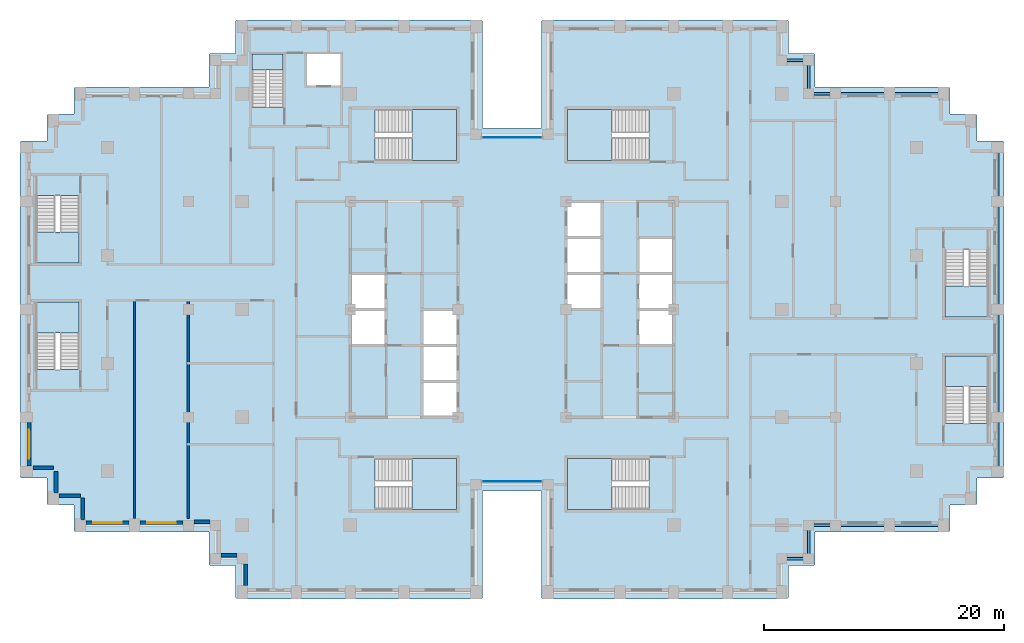
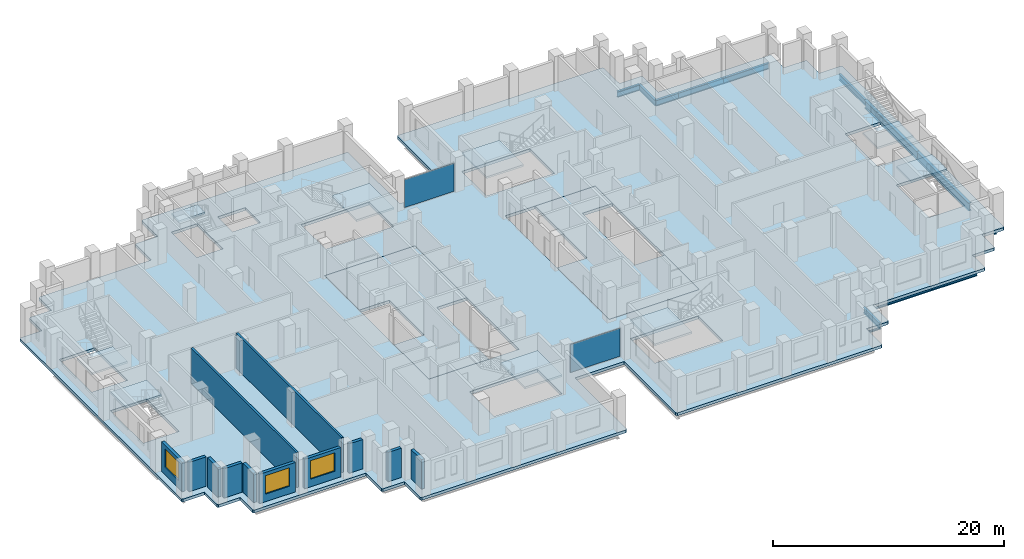
# One storey, part 5 of 16: 14 beams, 12 slabs, 12 walls, 3 windows, 2 plates, 3 openings, 11 elements without a shape of their own.
"""IFC4 building model written with IfcOpenShell, lengths in metres."""

import ifcopenshell
import ifcopenshell.guid

model = None  # the IFC model being written
_history = None  # IfcOwnerHistory: only IFC2X3 demands one
_inside = {}  # id of a spatial element -> (the spatial element, [elements in it])
_under = {}  # id of a project, library or spatial element -> (it, [spatial elements below it])
_declared = {}  # id of a project -> (the project, [libraries it declares])
_typed = {}  # id of a type object -> (the type object, [elements of that type])
_made_of = {}  # id of a material, layer set ... -> (it, [elements and type objects made of it])


def new_model(schema):
    """Start an empty IFC model of exactly this schema.

    Asked for "IFC4X3", IfcOpenShell would pick the latest addendum, in which some entities
    have other attributes; the version numbers below select the first issue.
    IFC2X3 requires an IfcOwnerHistory on every rooted entity: one is made here for all.
    """
    global model, _history
    if schema == "IFC4X3":
        model = ifcopenshell.file(schema_version=(4, 3, 0, 0))
    else:
        model = ifcopenshell.file(schema=schema)
    _inside.clear()
    _under.clear()
    _declared.clear()
    _typed.clear()
    _made_of.clear()
    _history = None
    if model.schema == "IFC2X3":
        org = make("IfcOrganization", Name="unknown")
        user = make(
            "IfcPersonAndOrganization",
            ThePerson=make("IfcPerson", FamilyName="unknown"),
            TheOrganization=org,
        )
        app = make(
            "IfcApplication",
            ApplicationDeveloper=org,
            Version="unknown",
            ApplicationFullName="unknown",
            ApplicationIdentifier="unknown",
        )
        _history = make(
            "IfcOwnerHistory",
            OwningUser=user,
            OwningApplication=app,
            ChangeAction="ADDED",
            CreationDate=0,
        )
    return model


def make(cls, **values):
    """One entity of the class cls with the attributes given. An attribute that is None is left unset."""
    return model.create_entity(
        cls, **{name: value for name, value in values.items() if value is not None}
    )


def rooted(cls, **values):
    """An entity with a GlobalId (a new one), such as an element, a storey or a relation."""
    return make(cls, GlobalId=ifcopenshell.guid.new(), OwnerHistory=_history, **values)


def si_unit(unit_type, name, prefix=None):
    """IfcSIUnit, for example si_unit("LENGTHUNIT", "METRE", prefix="MILLI")."""
    return make("IfcSIUnit", UnitType=unit_type, Prefix=prefix, Name=name)


def assignment(units):
    """IfcUnitAssignment: the units of a project."""
    return None if units is None else make("IfcUnitAssignment", Units=units)


def point(xyz):
    """IfcCartesianPoint."""
    return None if xyz is None else make("IfcCartesianPoint", Coordinates=xyz)


def direction(xyz):
    """IfcDirection."""
    return None if xyz is None else make("IfcDirection", DirectionRatios=xyz)


def frame(location, z_axis=None, x_axis=None):
    """IfcAxis2Placement3D, a coordinate frame: its origin and axes. An axis left out is left unset."""
    return make(
        "IfcAxis2Placement3D",
        Location=point(location),
        Axis=direction(z_axis),
        RefDirection=direction(x_axis),
    )


def frame_2d(location, x_axis=None):
    """IfcAxis2Placement2D, a coordinate frame in the plane: its origin and x axis."""
    return make(
        "IfcAxis2Placement2D", Location=point(location), RefDirection=direction(x_axis)
    )


def origin():
    """The frame at (0, 0, 0) with its axes left unset."""
    return frame((0.0, 0.0, 0.0))


def origin_2d():
    """The frame at (0, 0) in the plane with its x axis left unset."""
    return frame_2d((0.0, 0.0))


def place(relative_to, where):
    """IfcLocalPlacement: puts the frame where relative to a parent placement (None: the world)."""
    return make(
        "IfcLocalPlacement", PlacementRelTo=relative_to, RelativePlacement=where
    )


def context(
    kind, dimensions, precision=None, world=None, true_north=None, identifier=None
):
    """IfcGeometricRepresentationContext, for example the 3D "Model" context."""
    return make(
        "IfcGeometricRepresentationContext",
        ContextIdentifier=identifier,
        ContextType=kind,
        CoordinateSpaceDimension=dimensions,
        Precision=precision,
        WorldCoordinateSystem=world,
        TrueNorth=true_north,
    )


def subcontext(parent, identifier, kind, view, scale=None):
    """IfcGeometricRepresentationSubContext, for example "Body" below "Model"."""
    return make(
        "IfcGeometricRepresentationSubContext",
        ContextIdentifier=identifier,
        ContextType=kind,
        ParentContext=parent,
        TargetScale=scale,
        TargetView=view,
    )


def project(units=None, contexts=None):
    """IfcProject with its units and contexts."""
    return rooted(
        "IfcProject",
        Name="project",
        RepresentationContexts=contexts,
        UnitsInContext=assignment(units),
    )


def spatial(cls, under=None, at=None, **own):
    """A site, building, storey or space (cls), placed at a placement, below another one or the project."""
    s = rooted(cls, ObjectPlacement=at, **own)
    if under is not None:
        _under.setdefault(under.id(), (under, []))[1].append(s)
    return s


def polyline(points):
    """IfcPolyline through the points."""
    return make("IfcPolyline", Points=[point(p) for p in points])


def profile(cls, at=None, kind="AREA", **sizes):
    """A parametric profile (cls). Its sizes go by their IFC names, for example OverallWidth=200.0."""
    return make(cls, ProfileType=kind, Position=at, **sizes)


def rectangle(**sizes):
    """IfcRectangleProfileDef."""
    return profile("IfcRectangleProfileDef", **sizes)


def i_section(**sizes):
    """IfcIShapeProfileDef."""
    return profile("IfcIShapeProfileDef", **sizes)


def outline(outer, holes=None, kind="AREA"):
    """IfcArbitraryClosedProfileDef: a profile drawn as a closed curve; with holes, ...WithVoids."""
    if holes is None:
        return make("IfcArbitraryClosedProfileDef", ProfileType=kind, OuterCurve=outer)
    return make(
        "IfcArbitraryProfileDefWithVoids",
        ProfileType=kind,
        OuterCurve=outer,
        InnerCurves=holes,
    )


def extrude(swept, where, along, depth):
    """IfcExtrudedAreaSolid: the profile swept, set in the frame where, extruded along a direction by depth."""
    return make(
        "IfcExtrudedAreaSolid",
        SweptArea=swept,
        Position=where,
        ExtrudedDirection=direction(along),
        Depth=depth,
    )


def shape(context_of_items, identifier, shape_type, items):
    """IfcShapeRepresentation: the items that make up one representation, for example the "Body"."""
    return make(
        "IfcShapeRepresentation",
        ContextOfItems=context_of_items,
        RepresentationIdentifier=identifier,
        RepresentationType=shape_type,
        Items=items,
    )


def material(Name=None, Category=None):
    """IfcMaterial."""
    return make("IfcMaterial", Name=Name, Category=Category)


def layer(
    of_material, thickness, ventilated=None, Name=None, Category=None, Priority=None
):
    """IfcMaterialLayer: one layer of a wall or slab, of a material (None: an air gap)."""
    return make(
        "IfcMaterialLayer",
        Material=of_material,
        LayerThickness=thickness,
        IsVentilated=ventilated,
        Name=Name,
        Category=Category,
        Priority=Priority,
    )


def layer_set(layers, Name=None):
    """IfcMaterialLayerSet."""
    return make("IfcMaterialLayerSet", MaterialLayers=layers, LayerSetName=Name)


def material_profile(
    of_material, cross_section, Name=None, Category=None, Priority=None
):
    """IfcMaterialProfile: a cross section and its material."""
    return make(
        "IfcMaterialProfile",
        Name=Name,
        Material=of_material,
        Profile=cross_section,
        Priority=Priority,
        Category=Category,
    )


def profile_set(profiles, Name=None, composite=None):
    """IfcMaterialProfileSet."""
    return make(
        "IfcMaterialProfileSet",
        Name=Name,
        MaterialProfiles=profiles,
        CompositeProfile=composite,
    )


def made_of(thing, what):
    """Note that an element or type object is made of a material, layer set ...; save() writes the relation."""
    if what is not None:
        _made_of.setdefault(what.id(), (what, []))[1].append(thing)
    return thing


def type_object(cls, material=None, **own):
    """A type object (cls), such as IfcWallType, which elements share."""
    return made_of(rooted(cls, **own), material)


def element(
    cls,
    number,
    at=None,
    inside=None,
    cuts=None,
    type_object=None,
    material=None,
    context=None,
    identifier="Body",
    shape_type=None,
    held_by="IfcProductDefinitionShape",
    body=None,
    shapes=None,
    **own,
):
    """One element of the class cls, such as IfcWall. Its Tag is "e" and its number.

    at: its placement. inside: the storey or other place that contains it. cuts: it is an
    opening in that element (IfcRelVoidsElement). A single representation is given by context,
    identifier, shape_type and body (its items); several are given by shapes. held_by: the class
    of the entity that holds the representations. save() writes the other relations.
    """
    e = rooted(cls, Tag="e%d" % number, ObjectPlacement=at, **own)
    if body is not None:
        shapes = [shape(context, identifier, shape_type, body)]
    if shapes is not None:
        e.Representation = make(held_by, Representations=shapes)
    if inside is not None:
        _inside.setdefault(inside.id(), (inside, []))[1].append(e)
    if cuts is not None:
        rooted(
            "IfcRelVoidsElement", RelatingBuildingElement=cuts, RelatedOpeningElement=e
        )
    if type_object is not None:
        _typed.setdefault(type_object.id(), (type_object, []))[1].append(e)
    return made_of(e, material)


def fill(opening, filler):
    """IfcRelFillsElement: the door or window that sits in an opening."""
    return rooted(
        "IfcRelFillsElement",
        RelatingOpeningElement=opening,
        RelatedBuildingElement=filler,
    )


def aggregate(whole, parts):
    """IfcRelAggregates: a whole, such as a stair, and the parts it consists of."""
    return rooted("IfcRelAggregates", RelatingObject=whole, RelatedObjects=parts)


def save(model, path):
    """Write the relations noted so far, then the file.

    IfcRelAggregates (storeys below a building ...), IfcRelContainedInSpatialStructure (elements
    in a storey), IfcRelDefinesByType, IfcRelAssociatesMaterial and IfcRelDeclares: one each for
    every whole, place, type object, material and project.
    """
    for whole, parts in _under.values():
        aggregate(whole, parts)
    for where, things in _inside.values():
        rooted(
            "IfcRelContainedInSpatialStructure",
            RelatedElements=things,
            RelatingStructure=where,
        )
    for kind, things in _typed.values():
        rooted("IfcRelDefinesByType", RelatedObjects=things, RelatingType=kind)
    for what, things in _made_of.values():
        rooted("IfcRelAssociatesMaterial", RelatedObjects=things, RelatingMaterial=what)
    for by, libraries in _declared.values():
        rooted("IfcRelDeclares", RelatingContext=by, RelatedDefinitions=libraries)
    model.write(path)


model = new_model("IFC4")

# Units and contexts
model_context = context("Model", 3, precision=1e-05, world=origin(), true_north=direction((0.0, 1.0)))
body_context = subcontext(model_context, "Body", "Model", "MODEL_VIEW")
ifc_project = project(units=[si_unit("LENGTHUNIT", "METRE"), si_unit("AREAUNIT", "SQUARE_METRE"), si_unit("VOLUMEUNIT", "CUBIC_METRE"), si_unit("PLANEANGLEUNIT", "RADIAN"), si_unit("MASSUNIT", "GRAM", prefix="KILO")], contexts=[model_context])

# Site, building, storey
site_placement = place(None, origin())
site = spatial("IfcSite", under=ifc_project, at=site_placement, CompositionType="ELEMENT")
building_placement = place(site_placement, origin())
building = spatial("IfcBuilding", under=site, at=building_placement, Name="Corbelhall Arena Tower", CompositionType="ELEMENT")
storey_placement = place(building_placement, frame((0.0, 0.0, 150.0)))
storey = spatial("IfcBuildingStorey", under=building, at=storey_placement, Name="L29", CompositionType="ELEMENT", Elevation=150.0)

# Beams
ifc_material_1 = material(Name="Steel ASTM A992 Gr50", Category="steel")
ifc_material_profile_1 = material_profile(ifc_material_1, i_section(OverallWidth=0.22900390625, OverallDepth=0.612060546875, WebThickness=0.011962890625, FlangeThickness=0.01953125, at=origin_2d()))
ifc_profile_set_1 = profile_set([ifc_material_profile_1], Name="Steel ASTM A992 Gr50")
beam_type_1 = type_object("IfcBeamType", Name="ST-SPANDREL-W24x84", PredefinedType="SPANDREL", material=ifc_profile_set_1)
for number, where, z_axis, x_axis, name in (
    (1, (40.5, 13.5, -0.60595703125), (0.0, -1.0, 0.0), (1.0, 0.0, 0.0), "Beam SP 10"),
    (2, (40.5, -9.0, -0.60595703125), (0.0, -1.0, 0.0), (1.0, 0.0, 0.0), "Beam SP 11"),
    (3, (31.5, 18.0, -0.60595703125), (1.0, 0.0, 0.0), (0.0, 1.0, 0.0), "Beam SP 12"),
    (4, (31.5, -18.0, -0.60595703125), (-1.0, 0.0, 0.0), (0.0, -1.0, 0.0), "Beam SP 13"),
    (5, (36.0, -18.0, -0.60595703125), (-1.0, 0.0, 0.0), (0.0, -1.0, 0.0), "Beam SP 14"),
    (6, (27.0, 18.0, -0.60595703125), (1.0, 0.0, 0.0), (0.0, 1.0, 0.0), "Beam SP 15"),
):
    element("IfcBeam", number, at=place(storey_placement, frame(where, z_axis=z_axis, x_axis=x_axis)), inside=storey, type_object=beam_type_1, Name=name, PredefinedType="SPANDREL", context=body_context, shape_type="SweptSolid", body=[
        extrude(i_section(OverallWidth=0.22900390625, OverallDepth=0.612060546875, WebThickness=0.011962890625, FlangeThickness=0.01953125, at=origin_2d()), origin(), (0.0, 0.0, 1.0), 4.5),
    ])
for number, where, z_axis, x_axis, name in (
    (7, (27.0, -18.0, -0.60595703125), (-1.0, 0.0, 0.0), (0.0, -1.0, 0.0), "Beam SP 16"),
    (8, (22.5, 20.800048828125, -0.60595703125), (1.0, 0.0, 0.0), (0.0, 1.0, 0.0), "Beam SP 43"),
):
    element("IfcBeam", number, at=place(storey_placement, frame(where, z_axis=z_axis, x_axis=x_axis)), inside=storey, type_object=beam_type_1, Name=name, PredefinedType="SPANDREL", context=body_context, shape_type="SweptSolid", body=[
        extrude(i_section(OverallWidth=0.22900390625, OverallDepth=0.612060546875, WebThickness=0.011962890625, FlangeThickness=0.01953125, at=origin_2d()), origin(), (0.0, 0.0, 1.0), 2.25),
    ])
beam_1_placement = place(storey_placement, frame((24.75, 20.800048828125, -0.60595703125), z_axis=(0.0, -1.0, 0.0), x_axis=(1.0, 0.0, 0.0)))
element("IfcBeam", 9, at=beam_1_placement, inside=storey, type_object=beam_type_1, Name="Beam SP 44", PredefinedType="SPANDREL", context=body_context, shape_type="SweptSolid", body=[
    extrude(i_section(OverallWidth=0.22900390625, OverallDepth=0.612060546875, WebThickness=0.011962890625, FlangeThickness=0.01953125, at=origin_2d()), origin(), (0.0, 0.0, 1.0), 2.800048828125),
])
for number, where, z_axis, x_axis, name in (
    (10, (24.75, 18.0, -0.60595703125), (1.0, 0.0, 0.0), (0.0, 1.0, 0.0), "Beam SP 45"),
    (11, (24.75, -20.800048828125, -0.60595703125), (-1.0, 0.0, 0.0), (0.0, -1.0, 0.0), "Beam SP 50"),
):
    element("IfcBeam", number, at=place(storey_placement, frame(where, z_axis=z_axis, x_axis=x_axis)), inside=storey, type_object=beam_type_1, Name=name, PredefinedType="SPANDREL", context=body_context, shape_type="SweptSolid", body=[
        extrude(i_section(OverallWidth=0.22900390625, OverallDepth=0.612060546875, WebThickness=0.011962890625, FlangeThickness=0.01953125, at=origin_2d()), origin(), (0.0, 0.0, 1.0), 2.25),
    ])
beam_2_placement = place(storey_placement, frame((24.75, -18.0, -0.60595703125), z_axis=(0.0, -1.0, 0.0), x_axis=(1.0, 0.0, 0.0)))
element("IfcBeam", 12, at=beam_2_placement, inside=storey, type_object=beam_type_1, Name="Beam SP 51", PredefinedType="SPANDREL", context=body_context, shape_type="SweptSolid", body=[
    extrude(i_section(OverallWidth=0.22900390625, OverallDepth=0.612060546875, WebThickness=0.011962890625, FlangeThickness=0.01953125, at=origin_2d()), origin(), (0.0, 0.0, 1.0), 2.800048828125),
])
ifc_material_profile_2 = material_profile(ifc_material_1, i_section(OverallWidth=0.2919921875, OverallDepth=0.845703125, WebThickness=0.015380859375, FlangeThickness=0.0244140625, at=origin_2d()))
ifc_profile_set_2 = profile_set([ifc_material_profile_2], Name="Steel ASTM A992 Gr50")
beam_type_2 = type_object("IfcBeamType", Name="ST-SPANDREL-W33x141", PredefinedType="SPANDREL", material=ifc_profile_set_2)
for number, where, z_axis, x_axis, name in (
    (13, (40.5, 0.0, -0.722900390625), (0.0, -1.0, 0.0), (1.0, 0.0, 0.0), "Beam SP 8"),
    (14, (40.5, 9.0, -0.722900390625), (0.0, -1.0, 0.0), (1.0, 0.0, 0.0), "Beam SP 9"),
):
    element("IfcBeam", number, at=place(storey_placement, frame(where, z_axis=z_axis, x_axis=x_axis)), inside=storey, type_object=beam_type_2, Name=name, PredefinedType="SPANDREL", context=body_context, shape_type="SweptSolid", body=[
        extrude(i_section(OverallWidth=0.2919921875, OverallDepth=0.845703125, WebThickness=0.015380859375, FlangeThickness=0.0244140625, at=origin_2d()), origin(), (0.0, 0.0, 1.0), 9.0),
    ])

# Curtain wall, plate
ifc_material_2 = material(Name="Aluminium black anodised", Category="aluminium")
ifc_layer_1 = layer(ifc_material_2, 0.199951171875)
ifc_layer_set_1 = layer_set([ifc_layer_1], Name="EV-CW1 Slot back wall")
curtain_wall_type = type_object("IfcCurtainWallType", Name="EV-CW1 Slot back wall", PredefinedType="NOTDEFINED", material=ifc_layer_set_1)
curtain_wall_1_placement = place(storey_placement, origin())
curtain_wall_1 = element("IfcCurtainWall", 15, at=curtain_wall_1_placement, inside=storey, type_object=curtain_wall_type, Name="Curtain wall CW1", PredefinedType="NOTDEFINED")
ifc_material_3 = material(Name="Glass dark tinted laminated", Category="glass")
ifc_layer_2 = layer(ifc_material_3, 0.028076171875)
ifc_layer_set_2 = layer_set([ifc_layer_2], Name="EV-CW1-PANEL")
plate_type = type_object("IfcPlateType", Name="EV-CW1-PANEL", PredefinedType="CURTAIN_PANEL", material=ifc_layer_set_2)
plate_1_placement = place(storey_placement, frame((0.0, -14.35009765625, 0.0751953125), z_axis=(0.0, 0.0, 1.0), x_axis=(1.0, 0.0, 0.0)))
plate_1 = element("IfcPlate", 16, at=plate_1_placement, type_object=plate_type, Name="CW1 panel 1.1", PredefinedType="CURTAIN_PANEL", context=body_context, shape_type="SweptSolid", body=[
    extrude(rectangle(XDim=4.949951171875, YDim=0.028076171875, at=origin_2d()), origin(), (0.0, 0.0, 1.0), 2.949951171875),
])
aggregate(curtain_wall_1, [plate_1])

curtain_wall_2_placement = place(storey_placement, origin())
curtain_wall_2 = element("IfcCurtainWall", 17, at=curtain_wall_2_placement, inside=storey, type_object=curtain_wall_type, Name="Curtain wall CW1", PredefinedType="NOTDEFINED")
plate_2_placement = place(storey_placement, frame((0.0, 14.35009765625, 0.0751953125), z_axis=(0.0, 0.0, 1.0), x_axis=(-1.0, 0.0, 0.0)))
plate_2 = element("IfcPlate", 18, at=plate_2_placement, type_object=plate_type, Name="CW1 panel 1.1", PredefinedType="CURTAIN_PANEL", context=body_context, shape_type="SweptSolid", body=[
    extrude(rectangle(XDim=4.949951171875, YDim=0.028076171875, at=origin_2d()), origin(), (0.0, 0.0, 1.0), 2.949951171875),
])
aggregate(curtain_wall_2, [plate_2])

# Slabs
ifc_material_4 = material(Name="Concrete C40/50", Category="concrete")
ifc_layer_3 = layer(ifc_material_4, 0.300048828125)
ifc_layer_set_3 = layer_set([ifc_layer_3], Name="IN-SL-CORE")
slab_type_1 = type_object("IfcSlabType", Name="IN-SL-CORE", PredefinedType="FLOOR", material=ifc_layer_set_3)
slab_1_placement = place(storey_placement, frame((0.0, 0.0, -0.300048828125)))
element("IfcSlab", 19, at=slab_1_placement, inside=storey, type_object=slab_type_1, Name="Core floor W", PredefinedType="FLOOR", context=body_context, shape_type="SweptSolid", body=[
    extrude(outline(polyline([(-7.5, 0.0), (-4.5, 0.0), (-4.5, 9.0), (-13.5, 9.0), (-13.5, 3.0), (-10.5, 3.0), (-10.5, 0.0), (-10.5, -3.0), (-13.5, -3.0), (-13.5, -9.0), (-7.5, -9.0), (-7.5, -6.0), (-7.5, -3.0), (-7.5, 0.0)])), origin(), (0.0, 0.0, 1.0), 0.300048828125),
])
slab_2_placement = place(storey_placement, frame((0.0, 0.0, -0.300048828125)))
element("IfcSlab", 20, at=slab_2_placement, inside=storey, type_object=slab_type_1, Name="Core floor E", PredefinedType="FLOOR", context=body_context, shape_type="SweptSolid", body=[
    extrude(outline(polyline([(7.5, 0.0), (4.5, 0.0), (4.5, -9.0), (13.5, -9.0), (13.5, -3.0), (10.5, -3.0), (10.5, 0.0), (10.5, 3.0), (10.5, 6.0), (13.5, 6.0), (13.5, 9.0), (7.5, 9.0), (7.5, 6.0), (7.5, 3.0), (7.5, 0.0)])), origin(), (0.0, 0.0, 1.0), 0.300048828125),
])

# Stair, slab
stair_type = type_object("IfcStairType", Name="IN-ST-TOWER", PredefinedType="HALF_TURN_STAIR", material=ifc_material_4)
stair_1_placement = place(storey_placement, origin())
stair_1 = element("IfcStair", 21, at=stair_1_placement, inside=storey, type_object=stair_type, Name="L29 Exit stair ST1", PredefinedType="HALF_TURN_STAIR")
ifc_layer_4 = layer(ifc_material_4, 0.199951171875)
ifc_layer_set_4 = layer_set([ifc_layer_4], Name="IN-SL-LANDING")
slab_type_2 = type_object("IfcSlabType", Name="IN-SL-LANDING", PredefinedType="LANDING", material=ifc_layer_set_4)
slab_3_placement = place(storey_placement, frame((0.0, 0.0, 1.800048828125)))
slab_3 = element("IfcSlab", 22, at=slab_3_placement, type_object=slab_type_2, Name="ST1 landing 1", PredefinedType="LANDING", context=body_context, shape_type="SweptSolid", body=[
    extrude(outline(polyline([(-8.344970703125, 12.425048828125), (-4.625, 12.425048828125), (-4.625, 16.675048828125), (-8.344970703125, 16.675048828125), (-8.344970703125, 12.425048828125)])), origin(), (0.0, 0.0, 1.0), 0.199951171875),
])
aggregate(stair_1, [slab_3])

stair_2_placement = place(storey_placement, origin())
stair_2 = element("IfcStair", 23, at=stair_2_placement, inside=storey, type_object=stair_type, Name="L29 Exit stair ST2", PredefinedType="HALF_TURN_STAIR")
slab_4_placement = place(storey_placement, frame((0.0, 0.0, 1.800048828125)))
slab_4 = element("IfcSlab", 24, at=slab_4_placement, type_object=slab_type_2, Name="ST2 landing 1", PredefinedType="LANDING", context=body_context, shape_type="SweptSolid", body=[
    extrude(outline(polyline([(-8.344970703125, -16.675048828125), (-4.625, -16.675048828125), (-4.625, -12.425048828125), (-8.344970703125, -12.425048828125), (-8.344970703125, -16.675048828125)])), origin(), (0.0, 0.0, 1.0), 0.199951171875),
])
aggregate(stair_2, [slab_4])

stair_3_placement = place(storey_placement, origin())
stair_3 = element("IfcStair", 25, at=stair_3_placement, inside=storey, type_object=stair_type, Name="L29 Exit stair ST3", PredefinedType="HALF_TURN_STAIR")
slab_5_placement = place(storey_placement, frame((0.0, 0.0, 1.800048828125)))
slab_5 = element("IfcSlab", 26, at=slab_5_placement, type_object=slab_type_2, Name="ST3 landing 1", PredefinedType="LANDING", context=body_context, shape_type="SweptSolid", body=[
    extrude(outline(polyline([(8.344970703125, 16.675048828125), (4.625, 16.675048828125), (4.625, 12.425048828125), (8.344970703125, 12.425048828125), (8.344970703125, 16.675048828125)])), origin(), (0.0, 0.0, 1.0), 0.199951171875),
])
aggregate(stair_3, [slab_5])

stair_4_placement = place(storey_placement, origin())
stair_4 = element("IfcStair", 27, at=stair_4_placement, inside=storey, type_object=stair_type, Name="L29 Exit stair ST4", PredefinedType="HALF_TURN_STAIR")
slab_6_placement = place(storey_placement, frame((0.0, 0.0, 1.800048828125)))
slab_6 = element("IfcSlab", 28, at=slab_6_placement, type_object=slab_type_2, Name="ST4 landing 1", PredefinedType="LANDING", context=body_context, shape_type="SweptSolid", body=[
    extrude(outline(polyline([(8.344970703125, -12.425048828125), (4.625, -12.425048828125), (4.625, -16.675048828125), (8.344970703125, -16.675048828125), (8.344970703125, -12.425048828125)])), origin(), (0.0, 0.0, 1.0), 0.199951171875),
])
aggregate(stair_4, [slab_6])

stair_5_placement = place(storey_placement, origin())
stair_5 = element("IfcStair", 29, at=stair_5_placement, inside=storey, type_object=stair_type, Name="L29 Exit stair SC1", PredefinedType="HALF_TURN_STAIR")
slab_7_placement = place(storey_placement, frame((0.0, 0.0, 1.800048828125)))
slab_7 = element("IfcSlab", 30, at=slab_7_placement, type_object=slab_type_2, Name="SC1 landing 1", PredefinedType="LANDING", context=body_context, shape_type="SweptSolid", body=[
    extrude(outline(polyline([(-39.699951171875, 6.445068359375), (-39.699951171875, 3.875), (-36.125, 3.875), (-36.125, 6.445068359375), (-39.699951171875, 6.445068359375)])), origin(), (0.0, 0.0, 1.0), 0.199951171875),
])
aggregate(stair_5, [slab_7])

stair_6_placement = place(storey_placement, origin())
stair_6 = element("IfcStair", 31, at=stair_6_placement, inside=storey, type_object=stair_type, Name="L29 Exit stair SC2", PredefinedType="HALF_TURN_STAIR")
slab_8_placement = place(storey_placement, frame((0.0, 0.0, 1.800048828125)))
slab_8 = element("IfcSlab", 32, at=slab_8_placement, type_object=slab_type_2, Name="SC2 landing 1", PredefinedType="LANDING", context=body_context, shape_type="SweptSolid", body=[
    extrude(outline(polyline([(-36.125, -1.945068359375), (-36.125, 0.625), (-39.699951171875, 0.625), (-39.699951171875, -1.945068359375), (-36.125, -1.945068359375)])), origin(), (0.0, 0.0, 1.0), 0.199951171875),
])
aggregate(stair_6, [slab_8])

stair_7_placement = place(storey_placement, origin())
stair_7 = element("IfcStair", 33, at=stair_7_placement, inside=storey, type_object=stair_type, Name="L29 Exit stair SD1", PredefinedType="HALF_TURN_STAIR")
slab_9_placement = place(storey_placement, frame((0.0, 0.0, 1.800048828125)))
slab_9 = element("IfcSlab", 34, at=slab_9_placement, type_object=slab_type_2, Name="SD1 landing 1", PredefinedType="LANDING", context=body_context, shape_type="SweptSolid", body=[
    extrude(outline(polyline([(39.699951171875, -6.445068359375), (39.699951171875, -3.875), (36.125, -3.875), (36.125, -6.445068359375), (39.699951171875, -6.445068359375)])), origin(), (0.0, 0.0, 1.0), 0.199951171875),
])
aggregate(stair_7, [slab_9])

stair_8_placement = place(storey_placement, origin())
stair_8 = element("IfcStair", 35, at=stair_8_placement, inside=storey, type_object=stair_type, Name="L29 Exit stair SD2", PredefinedType="HALF_TURN_STAIR")
slab_10_placement = place(storey_placement, frame((0.0, 0.0, 1.800048828125)))
slab_10 = element("IfcSlab", 36, at=slab_10_placement, type_object=slab_type_2, Name="SD2 landing 1", PredefinedType="LANDING", context=body_context, shape_type="SweptSolid", body=[
    extrude(outline(polyline([(36.125, 1.945068359375), (36.125, -0.625), (39.699951171875, -0.625), (39.699951171875, 1.945068359375), (36.125, 1.945068359375)])), origin(), (0.0, 0.0, 1.0), 0.199951171875),
])
aggregate(stair_8, [slab_10])

stair_9_placement = place(storey_placement, origin())
stair_9 = element("IfcStair", 37, at=stair_9_placement, inside=storey, type_object=stair_type, Name="L29 Exit stair ST5", PredefinedType="HALF_TURN_STAIR")
slab_11_placement = place(storey_placement, frame((0.0, 0.0, 1.800048828125)))
slab_11 = element("IfcSlab", 38, at=slab_11_placement, type_object=slab_type_2, Name="ST5 landing 1", PredefinedType="LANDING", context=body_context, shape_type="SweptSolid", body=[
    extrude(outline(polyline([(-19.094970703125, 19.97998046875), (-19.094970703125, 21.300048828125), (-21.695068359375, 21.300048828125), (-21.695068359375, 19.97998046875), (-19.094970703125, 19.97998046875)])), origin(), (0.0, 0.0, 1.0), 0.199951171875),
])
aggregate(stair_9, [slab_11])

# Slab
ifc_layer_5 = layer(ifc_material_4, 0.300048828125)
ifc_layer_set_5 = layer_set([ifc_layer_5], Name="ST-SLAB-FLOOR-300")
slab_type_3 = type_object("IfcSlabType", Name="ST-SLAB-FLOOR-300", PredefinedType="FLOOR", material=ifc_layer_set_5)
slab_12_placement = place(storey_placement, frame((0.0, 0.0, -0.300048828125)))
element("IfcSlab", 39, at=slab_12_placement, inside=storey, type_object=slab_type_3, Name="Floor slab L29 1", PredefinedType="FLOOR", context=body_context, shape_type="SweptSolid", body=[
    extrude(outline(polyline([(25.300048828125, 18.550048828125), (25.300048828125, 21.25), (25.199951171875, 21.35009765625), (23.050048828125, 21.35009765625), (23.050048828125, 24.050048828125), (22.949951171875, 24.14990234375), (2.550048828125, 24.14990234375), (2.449951171875, 24.050048828125), (2.449951171875, 15.14990234375), (-2.449951171875, 15.14990234375), (-2.449951171875, 24.050048828125), (-2.550048828125, 24.14990234375), (-22.949951171875, 24.14990234375), (-23.050048828125, 24.050048828125), (-23.050048828125, 21.35009765625), (-25.199951171875, 21.35009765625), (-25.300048828125, 21.25), (-25.300048828125, 18.550048828125), (-36.449951171875, 18.550048828125), (-36.550048828125, 18.449951171875), (-36.550048828125, 16.300048828125), (-38.699951171875, 16.300048828125), (-38.800048828125, 16.199951171875), (-38.800048828125, 14.050048828125), (-40.949951171875, 14.050048828125), (-41.050048828125, 13.949951171875), (-41.050048828125, -13.949951171875), (-40.949951171875, -14.050048828125), (-38.800048828125, -14.050048828125), (-38.800048828125, -16.199951171875), (-38.699951171875, -16.300048828125), (-36.550048828125, -16.300048828125), (-36.550048828125, -18.449951171875), (-36.449951171875, -18.550048828125), (-25.300048828125, -18.550048828125), (-25.300048828125, -21.25), (-25.199951171875, -21.35009765625), (-23.050048828125, -21.35009765625), (-23.050048828125, -24.050048828125), (-22.949951171875, -24.14990234375), (-2.550048828125, -24.14990234375), (-2.449951171875, -24.050048828125), (-2.449951171875, -15.14990234375), (2.449951171875, -15.14990234375), (2.449951171875, -24.050048828125), (2.550048828125, -24.14990234375), (22.949951171875, -24.14990234375), (23.050048828125, -24.050048828125), (23.050048828125, -21.35009765625), (25.199951171875, -21.35009765625), (25.300048828125, -21.25), (25.300048828125, -18.550048828125), (36.449951171875, -18.550048828125), (36.550048828125, -18.449951171875), (36.550048828125, -16.300048828125), (38.699951171875, -16.300048828125), (38.800048828125, -16.199951171875), (38.800048828125, -14.050048828125), (40.949951171875, -14.050048828125), (41.050048828125, -13.949951171875), (41.050048828125, 13.949951171875), (40.949951171875, 14.050048828125), (38.800048828125, 14.050048828125), (38.800048828125, 16.199951171875), (38.699951171875, 16.300048828125), (36.550048828125, 16.300048828125), (36.550048828125, 18.449951171875), (36.449951171875, 18.550048828125), (25.300048828125, 18.550048828125)]), holes=[polyline([(-13.5, 9.0), (-13.5, -9.0), (-4.5, -9.0), (-4.5, 9.0), (-13.5, 9.0)]), polyline([(4.5, 9.0), (4.5, -9.0), (13.5, -9.0), (13.5, 9.0), (4.5, 9.0)]), polyline([(-4.625, 16.675048828125), (-11.422119140625, 16.675048828125), (-11.422119140625, 12.425048828125), (-4.625, 12.425048828125), (-4.625, 16.675048828125)]), polyline([(-4.625, -16.675048828125), (-4.625, -12.425048828125), (-11.422119140625, -12.425048828125), (-11.422119140625, -16.675048828125), (-4.625, -16.675048828125)]), polyline([(11.422119140625, 16.675048828125), (4.625, 16.675048828125), (4.625, 12.425048828125), (11.422119140625, 12.425048828125), (11.422119140625, 16.675048828125)]), polyline([(11.422119140625, -16.675048828125), (11.422119140625, -12.425048828125), (4.625, -12.425048828125), (4.625, -16.675048828125), (11.422119140625, -16.675048828125)]), polyline([(-36.125, 3.875), (-36.125, 9.52197265625), (-39.699951171875, 9.52197265625), (-39.699951171875, 3.875), (-36.125, 3.875)]), polyline([(-36.125, 0.625), (-39.699951171875, 0.625), (-39.699951171875, -5.02197265625), (-36.125, -5.02197265625), (-36.125, 0.625)]), polyline([(39.699951171875, -9.52197265625), (39.699951171875, -3.875), (36.125, -3.875), (36.125, -9.52197265625), (39.699951171875, -9.52197265625)]), polyline([(39.699951171875, 5.02197265625), (36.125, 5.02197265625), (36.125, -0.625), (39.699951171875, -0.625), (39.699951171875, 5.02197265625)]), polyline([(-21.695068359375, 21.300048828125), (-21.695068359375, 16.903076171875), (-19.094970703125, 16.903076171875), (-19.094970703125, 21.300048828125), (-21.695068359375, 21.300048828125)]), polyline([(-14.300048828125, 21.300048828125), (-17.10009765625, 21.300048828125), (-17.10009765625, 18.699951171875), (-14.300048828125, 18.699951171875), (-14.300048828125, 21.300048828125)])]), origin(), (0.0, 0.0, 1.0), 0.300048828125),
])

# Walls
ifc_material_5 = material(Name="Precast concrete C40/50 with granite facing", Category="masonry")
ifc_layer_6 = layer(ifc_material_5, 0.300048828125)
ifc_layer_set_6 = layer_set([ifc_layer_6], Name="EV-IW1 Infill panel 300")
wall_type_1 = type_object("IfcWallType", Name="EV-IW1 Infill panel 300", PredefinedType="SOLIDWALL", material=ifc_layer_set_6)
wall_1_placement = place(storey_placement, frame((-39.949951171875, -13.199951171875, 0.0), z_axis=(0.0, 0.0, 1.0), x_axis=(1.0, 0.0, 0.0)))
element("IfcWall", 40, at=wall_1_placement, inside=storey, type_object=wall_type_1, Name="Infill panel IW1", PredefinedType="SOLIDWALL", context=body_context, shape_type="SweptSolid", body=[
    extrude(rectangle(XDim=1.699951171875, YDim=0.300048828125, at=frame_2d((0.85009765625, 0.0))), origin(), (0.0, 0.0, 1.0), 3.10009765625),
])
for number, where, z_axis, x_axis, name in (
    (41, (-38.050048828125, -15.300048828125, 0.0), (0.0, 0.0, 1.0), (0.0, 1.0, 0.0), "Infill panel IW1"),
    (42, (-37.800048828125, -15.550048828125, 0.0), (0.0, 0.0, 1.0), (1.0, 0.0, 0.0), "Infill panel IW1"),
    (43, (-35.800048828125, -17.550048828125, 0.0), (0.0, 0.0, 1.0), (0.0, 1.0, 0.0), "Infill panel IW1"),
):
    element("IfcWall", number, at=place(storey_placement, frame(where, z_axis=z_axis, x_axis=x_axis)), inside=storey, type_object=wall_type_1, Name=name, PredefinedType="SOLIDWALL", context=body_context, shape_type="SweptSolid", body=[
        extrude(rectangle(XDim=1.800048828125, YDim=0.300048828125, at=frame_2d((0.89990234375, 0.0))), origin(), (0.0, 0.0, 1.0), 3.10009765625),
    ])

# Wall, opening, window
wall_2_placement = place(storey_placement, frame((-40.300048828125, -9.449951171875, 0.0), z_axis=(0.0, 0.0, 1.0), x_axis=(0.0, -1.0, 0.0)))
wall_2 = element("IfcWall", 44, at=wall_2_placement, inside=storey, type_object=wall_type_1, Name="Infill panel IW1", PredefinedType="SOLIDWALL", context=body_context, shape_type="SweptSolid", body=[
    extrude(rectangle(XDim=3.60009765625, YDim=0.300048828125, at=frame_2d((1.800048828125, 0.0))), origin(), (0.0, 0.0, 1.0), 3.10009765625),
])
opening_1_placement = place(wall_2_placement, frame((0.60009765625, 0.0, 0.800048828125)))
opening_1 = element("IfcOpeningElement", 45, at=opening_1_placement, cuts=wall_2, Name="Opening WN1", PredefinedType="OPENING", context=body_context, shape_type="SweptSolid", body=[
    extrude(rectangle(XDim=2.39990234375, YDim=1.949951171875, at=frame_2d((1.199951171875, 0.97509765625))), frame((0.0, 0.14990234375, 0.0), z_axis=(0.0, -1.0, 0.0), x_axis=(1.0, 0.0, 0.0)), (0.0, 0.0, 1.0), 0.300048828125),
])
window_type = type_object("IfcWindowType", Name="EV-WN1 Office window", PartitioningType="SINGLE_PANEL", PredefinedType="WINDOW", material=ifc_material_2)
window_1_placement = place(opening_1_placement, origin())
window_1 = element("IfcWindow", 46, at=window_1_placement, inside=storey, type_object=window_type, Name="Window WN1", OverallHeight=1.949951171875, OverallWidth=2.39990234375, PartitioningType="SINGLE_PANEL", PredefinedType="WINDOW", context=body_context, shape_type="SweptSolid", body=[
    extrude(rectangle(XDim=2.39990234375, YDim=1.949951171875, at=frame_2d((1.199951171875, 0.97509765625))), frame((0.0, 0.030029296875, 0.0), z_axis=(0.0, -1.0, 0.0), x_axis=(1.0, 0.0, 0.0)), (0.0, 0.0, 1.0), 0.06005859375),
])
fill(opening_1, window_1)

wall_3_placement = place(storey_placement, frame((-35.550048828125, -17.800048828125, 0.0), z_axis=(0.0, 0.0, 1.0), x_axis=(1.0, 0.0, 0.0)))
wall_3 = element("IfcWall", 47, at=wall_3_placement, inside=storey, type_object=wall_type_1, Name="Infill panel IW1", PredefinedType="SOLIDWALL", context=body_context, shape_type="SweptSolid", body=[
    extrude(rectangle(XDim=3.60009765625, YDim=0.300048828125, at=frame_2d((1.800048828125, 0.0))), origin(), (0.0, 0.0, 1.0), 3.10009765625),
])
opening_2_placement = place(wall_3_placement, frame((0.60009765625, 0.0, 0.800048828125)))
opening_2 = element("IfcOpeningElement", 48, at=opening_2_placement, cuts=wall_3, Name="Opening WN1", PredefinedType="OPENING", context=body_context, shape_type="SweptSolid", body=[
    extrude(rectangle(XDim=2.39990234375, YDim=1.949951171875, at=frame_2d((1.199951171875, 0.97509765625))), frame((0.0, 0.14990234375, 0.0), z_axis=(0.0, -1.0, 0.0), x_axis=(1.0, 0.0, 0.0)), (0.0, 0.0, 1.0), 0.300048828125),
])
window_2_placement = place(opening_2_placement, origin())
window_2 = element("IfcWindow", 49, at=window_2_placement, inside=storey, type_object=window_type, Name="Window WN1", OverallHeight=1.949951171875, OverallWidth=2.39990234375, PartitioningType="SINGLE_PANEL", PredefinedType="WINDOW", context=body_context, shape_type="SweptSolid", body=[
    extrude(rectangle(XDim=2.39990234375, YDim=1.949951171875, at=frame_2d((1.199951171875, 0.97509765625))), frame((0.0, 0.030029296875, 0.0), z_axis=(0.0, -1.0, 0.0), x_axis=(1.0, 0.0, 0.0)), (0.0, 0.0, 1.0), 0.06005859375),
])
fill(opening_2, window_2)

wall_4_placement = place(storey_placement, frame((-31.050048828125, -17.800048828125, 0.0), z_axis=(0.0, 0.0, 1.0), x_axis=(1.0, 0.0, 0.0)))
wall_4 = element("IfcWall", 50, at=wall_4_placement, inside=storey, type_object=wall_type_1, Name="Infill panel IW1", PredefinedType="SOLIDWALL", context=body_context, shape_type="SweptSolid", body=[
    extrude(rectangle(XDim=3.60009765625, YDim=0.300048828125, at=frame_2d((1.800048828125, 0.0))), origin(), (0.0, 0.0, 1.0), 3.10009765625),
])
opening_3_placement = place(wall_4_placement, frame((0.60009765625, 0.0, 0.800048828125)))
opening_3 = element("IfcOpeningElement", 51, at=opening_3_placement, cuts=wall_4, Name="Opening WN1", PredefinedType="OPENING", context=body_context, shape_type="SweptSolid", body=[
    extrude(rectangle(XDim=2.39990234375, YDim=1.949951171875, at=frame_2d((1.199951171875, 0.97509765625))), frame((0.0, 0.14990234375, 0.0), z_axis=(0.0, -1.0, 0.0), x_axis=(1.0, 0.0, 0.0)), (0.0, 0.0, 1.0), 0.300048828125),
])
window_3_placement = place(opening_3_placement, origin())
window_3 = element("IfcWindow", 52, at=window_3_placement, inside=storey, type_object=window_type, Name="Window WN1", OverallHeight=1.949951171875, OverallWidth=2.39990234375, PartitioningType="SINGLE_PANEL", PredefinedType="WINDOW", context=body_context, shape_type="SweptSolid", body=[
    extrude(rectangle(XDim=2.39990234375, YDim=1.949951171875, at=frame_2d((1.199951171875, 0.97509765625))), frame((0.0, 0.030029296875, 0.0), z_axis=(0.0, -1.0, 0.0), x_axis=(1.0, 0.0, 0.0)), (0.0, 0.0, 1.0), 0.06005859375),
])
fill(opening_3, window_3)

# Walls
for number, where, z_axis, x_axis, name in (
    (53, (-26.550048828125, -17.699951171875, 0.0), (0.0, 0.0, 1.0), (1.0, 0.0, 0.0), "Infill panel IW1"),
    (54, (-24.300048828125, -20.5, 0.0), (0.0, 0.0, 1.0), (1.0, 0.0, 0.0), "Infill panel IW1"),
):
    element("IfcWall", number, at=place(storey_placement, frame(where, z_axis=z_axis, x_axis=x_axis)), inside=storey, type_object=wall_type_1, Name=name, PredefinedType="SOLIDWALL", context=body_context, shape_type="SweptSolid", body=[
        extrude(rectangle(XDim=1.35009765625, YDim=0.300048828125, at=frame_2d((0.675048828125, 0.0))), origin(), (0.0, 0.0, 1.0), 3.10009765625),
    ])
wall_5_placement = place(storey_placement, frame((-22.199951171875, -21.25, 0.0), z_axis=(0.0, 0.0, 1.0), x_axis=(0.0, -1.0, 0.0)))
element("IfcWall", 55, at=wall_5_placement, inside=storey, type_object=wall_type_1, Name="Infill panel IW1", PredefinedType="SOLIDWALL", context=body_context, shape_type="SweptSolid", body=[
    extrude(rectangle(XDim=1.800048828125, YDim=0.300048828125, at=frame_2d((0.89990234375, 0.0))), origin(), (0.0, 0.0, 1.0), 3.10009765625),
])
ifc_material_6 = material(Name="Gypsum board on steel stud, acoustic", Category="steel")
ifc_layer_7 = layer(ifc_material_6, 0.199951171875)
ifc_layer_set_7 = layer_set([ifc_layer_7], Name="IN-W-DM200")
wall_type_2 = type_object("IfcWallType", Name="IN-W-DM200", PredefinedType="PARTITIONING", material=ifc_layer_set_7)
for number, where, z_axis, x_axis, name in (
    (56, (-31.5, 0.75, 0.0), (0.0, 0.0, 1.0), (0.0, -1.0, 0.0), "Partition 006"),
    (57, (-27.0, -17.449951171875, 0.0), (0.0, 0.0, 1.0), (0.0, 1.0, 0.0), "Partition 011"),
):
    element("IfcWall", number, at=place(storey_placement, frame(where, z_axis=z_axis, x_axis=x_axis)), inside=storey, type_object=wall_type_2, Name=name, PredefinedType="PARTITIONING", context=body_context, shape_type="SweptSolid", body=[
        extrude(rectangle(XDim=18.199951171875, YDim=0.199951171875, at=frame_2d((9.10009765625, 0.0))), origin(), (0.0, 0.0, 1.0), 3.699951171875),
    ])

save(model, "model.ifc")
